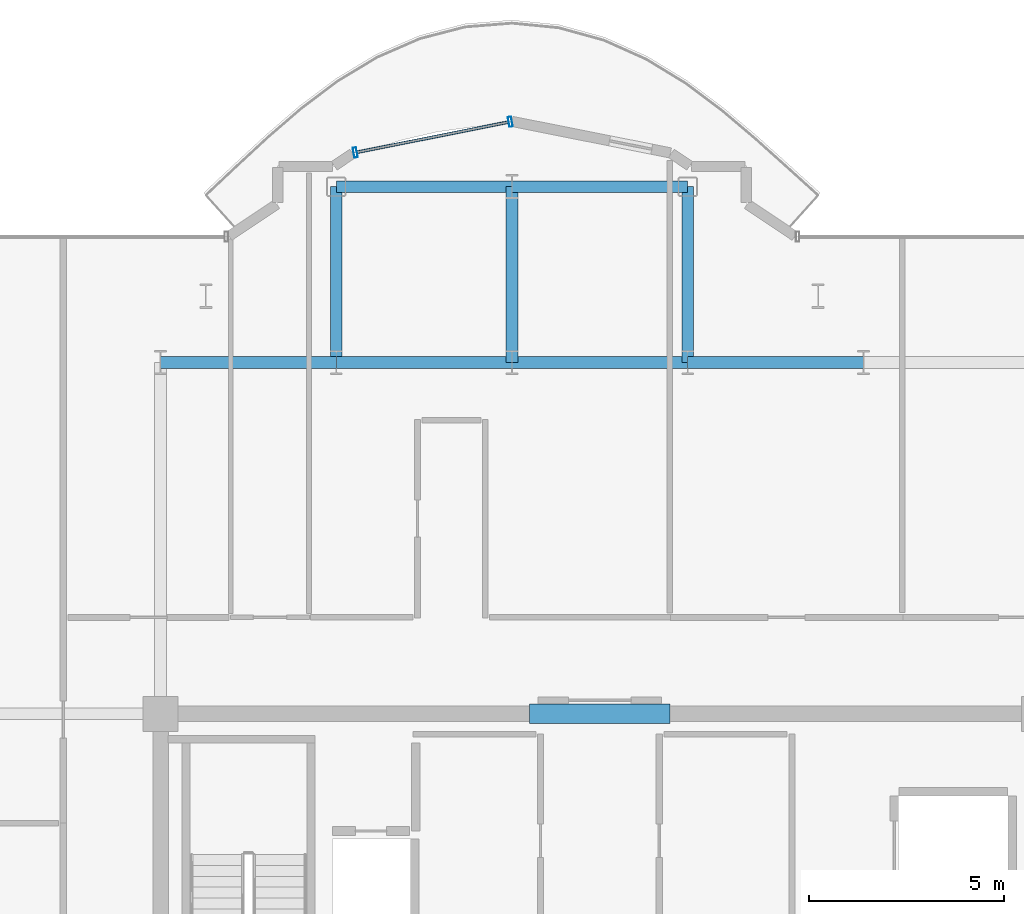
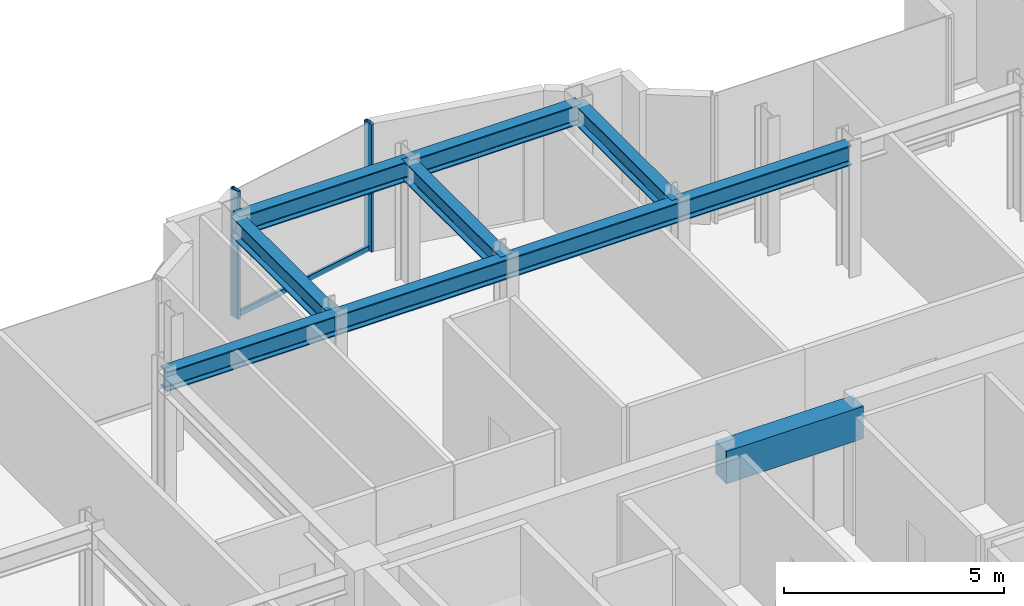
# One storey, part 10 of 18: 10 beams, 3 members, 1 element without a shape of its own.
"""IFC4 building model written with IfcOpenShell, lengths in metres."""

import ifcopenshell
import ifcopenshell.guid

model = None  # the IFC model being written
_history = None  # IfcOwnerHistory: only IFC2X3 demands one
_inside = {}  # id of a spatial element -> (the spatial element, [elements in it])
_under = {}  # id of a project, library or spatial element -> (it, [spatial elements below it])
_declared = {}  # id of a project -> (the project, [libraries it declares])
_typed = {}  # id of a type object -> (the type object, [elements of that type])
_made_of = {}  # id of a material, layer set ... -> (it, [elements and type objects made of it])


def new_model(schema):
    """Start an empty IFC model of exactly this schema.

    Asked for "IFC4X3", IfcOpenShell would pick the latest addendum, in which some entities
    have other attributes; the version numbers below select the first issue.
    IFC2X3 requires an IfcOwnerHistory on every rooted entity: one is made here for all.
    """
    global model, _history
    if schema == "IFC4X3":
        model = ifcopenshell.file(schema_version=(4, 3, 0, 0))
    else:
        model = ifcopenshell.file(schema=schema)
    _inside.clear()
    _under.clear()
    _declared.clear()
    _typed.clear()
    _made_of.clear()
    _history = None
    if model.schema == "IFC2X3":
        org = make("IfcOrganization", Name="unknown")
        user = make(
            "IfcPersonAndOrganization",
            ThePerson=make("IfcPerson", FamilyName="unknown"),
            TheOrganization=org,
        )
        app = make(
            "IfcApplication",
            ApplicationDeveloper=org,
            Version="unknown",
            ApplicationFullName="unknown",
            ApplicationIdentifier="unknown",
        )
        _history = make(
            "IfcOwnerHistory",
            OwningUser=user,
            OwningApplication=app,
            ChangeAction="ADDED",
            CreationDate=0,
        )
    return model


def make(cls, **values):
    """One entity of the class cls with the attributes given. An attribute that is None is left unset."""
    return model.create_entity(
        cls, **{name: value for name, value in values.items() if value is not None}
    )


def rooted(cls, **values):
    """An entity with a GlobalId (a new one), such as an element, a storey or a relation."""
    return make(cls, GlobalId=ifcopenshell.guid.new(), OwnerHistory=_history, **values)


def si_unit(unit_type, name, prefix=None):
    """IfcSIUnit, for example si_unit("LENGTHUNIT", "METRE", prefix="MILLI")."""
    return make("IfcSIUnit", UnitType=unit_type, Prefix=prefix, Name=name)


def assignment(units):
    """IfcUnitAssignment: the units of a project."""
    return None if units is None else make("IfcUnitAssignment", Units=units)


def point(xyz):
    """IfcCartesianPoint."""
    return None if xyz is None else make("IfcCartesianPoint", Coordinates=xyz)


def direction(xyz):
    """IfcDirection."""
    return None if xyz is None else make("IfcDirection", DirectionRatios=xyz)


def frame(location, z_axis=None, x_axis=None):
    """IfcAxis2Placement3D, a coordinate frame: its origin and axes. An axis left out is left unset."""
    return make(
        "IfcAxis2Placement3D",
        Location=point(location),
        Axis=direction(z_axis),
        RefDirection=direction(x_axis),
    )


def frame_2d(location, x_axis=None):
    """IfcAxis2Placement2D, a coordinate frame in the plane: its origin and x axis."""
    return make(
        "IfcAxis2Placement2D", Location=point(location), RefDirection=direction(x_axis)
    )


def origin():
    """The frame at (0, 0, 0) with its axes left unset."""
    return frame((0.0, 0.0, 0.0))


def origin_2d():
    """The frame at (0, 0) in the plane with its x axis left unset."""
    return frame_2d((0.0, 0.0))


def place(relative_to, where):
    """IfcLocalPlacement: puts the frame where relative to a parent placement (None: the world)."""
    return make(
        "IfcLocalPlacement", PlacementRelTo=relative_to, RelativePlacement=where
    )


def context(
    kind, dimensions, precision=None, world=None, true_north=None, identifier=None
):
    """IfcGeometricRepresentationContext, for example the 3D "Model" context."""
    return make(
        "IfcGeometricRepresentationContext",
        ContextIdentifier=identifier,
        ContextType=kind,
        CoordinateSpaceDimension=dimensions,
        Precision=precision,
        WorldCoordinateSystem=world,
        TrueNorth=true_north,
    )


def subcontext(parent, identifier, kind, view, scale=None):
    """IfcGeometricRepresentationSubContext, for example "Body" below "Model"."""
    return make(
        "IfcGeometricRepresentationSubContext",
        ContextIdentifier=identifier,
        ContextType=kind,
        ParentContext=parent,
        TargetScale=scale,
        TargetView=view,
    )


def project(units=None, contexts=None):
    """IfcProject with its units and contexts."""
    return rooted(
        "IfcProject",
        Name="project",
        RepresentationContexts=contexts,
        UnitsInContext=assignment(units),
    )


def spatial(cls, under=None, at=None, **own):
    """A site, building, storey or space (cls), placed at a placement, below another one or the project."""
    s = rooted(cls, ObjectPlacement=at, **own)
    if under is not None:
        _under.setdefault(under.id(), (under, []))[1].append(s)
    return s


def profile(cls, at=None, kind="AREA", **sizes):
    """A parametric profile (cls). Its sizes go by their IFC names, for example OverallWidth=200.0."""
    return make(cls, ProfileType=kind, Position=at, **sizes)


def rectangle(**sizes):
    """IfcRectangleProfileDef."""
    return profile("IfcRectangleProfileDef", **sizes)


def hollow_rectangle(**sizes):
    """IfcRectangleHollowProfileDef."""
    return profile("IfcRectangleHollowProfileDef", **sizes)


def i_section(**sizes):
    """IfcIShapeProfileDef."""
    return profile("IfcIShapeProfileDef", **sizes)


def extrude(swept, where, along, depth):
    """IfcExtrudedAreaSolid: the profile swept, set in the frame where, extruded along a direction by depth."""
    return make(
        "IfcExtrudedAreaSolid",
        SweptArea=swept,
        Position=where,
        ExtrudedDirection=direction(along),
        Depth=depth,
    )


def shape(context_of_items, identifier, shape_type, items):
    """IfcShapeRepresentation: the items that make up one representation, for example the "Body"."""
    return make(
        "IfcShapeRepresentation",
        ContextOfItems=context_of_items,
        RepresentationIdentifier=identifier,
        RepresentationType=shape_type,
        Items=items,
    )


def source(mapping_origin, context_of_items, identifier, shape_type, items):
    """IfcRepresentationMap: a shape defined once, which mapped items show again and again."""
    return make(
        "IfcRepresentationMap",
        MappingOrigin=mapping_origin,
        MappedRepresentation=shape(context_of_items, identifier, shape_type, items),
    )


def transform(
    local_origin,
    x_axis=None,
    y_axis=None,
    z_axis=None,
    scale=None,
    scale2=None,
    scale3=None,
    uniform=True,
):
    """IfcCartesianTransformationOperator3D, or its non-uniform kind. x_axis, y_axis, z_axis: its Axis1, 2, 3."""
    if uniform:
        return make(
            "IfcCartesianTransformationOperator3D",
            Axis1=direction(x_axis),
            Axis2=direction(y_axis),
            LocalOrigin=point(local_origin),
            Scale=scale,
            Axis3=direction(z_axis),
        )
    return make(
        "IfcCartesianTransformationOperator3DnonUniform",
        Axis1=direction(x_axis),
        Axis2=direction(y_axis),
        LocalOrigin=point(local_origin),
        Scale=scale,
        Axis3=direction(z_axis),
        Scale2=scale2,
        Scale3=scale3,
    )


def mapped(mapping_source, mapping_target):
    """IfcMappedItem: shows the shape of a source again, moved by a transform."""
    return make(
        "IfcMappedItem", MappingSource=mapping_source, MappingTarget=mapping_target
    )


def material(Name=None, Category=None):
    """IfcMaterial."""
    return make("IfcMaterial", Name=Name, Category=Category)


def layer(
    of_material, thickness, ventilated=None, Name=None, Category=None, Priority=None
):
    """IfcMaterialLayer: one layer of a wall or slab, of a material (None: an air gap)."""
    return make(
        "IfcMaterialLayer",
        Material=of_material,
        LayerThickness=thickness,
        IsVentilated=ventilated,
        Name=Name,
        Category=Category,
        Priority=Priority,
    )


def layer_set(layers, Name=None):
    """IfcMaterialLayerSet."""
    return make("IfcMaterialLayerSet", MaterialLayers=layers, LayerSetName=Name)


def material_profile(
    of_material, cross_section, Name=None, Category=None, Priority=None
):
    """IfcMaterialProfile: a cross section and its material."""
    return make(
        "IfcMaterialProfile",
        Name=Name,
        Material=of_material,
        Profile=cross_section,
        Priority=Priority,
        Category=Category,
    )


def profile_set(profiles, Name=None, composite=None):
    """IfcMaterialProfileSet."""
    return make(
        "IfcMaterialProfileSet",
        Name=Name,
        MaterialProfiles=profiles,
        CompositeProfile=composite,
    )


def made_of(thing, what):
    """Note that an element or type object is made of a material, layer set ...; save() writes the relation."""
    if what is not None:
        _made_of.setdefault(what.id(), (what, []))[1].append(thing)
    return thing


def type_object(cls, material=None, **own):
    """A type object (cls), such as IfcWallType, which elements share."""
    return made_of(rooted(cls, **own), material)


def element(
    cls,
    number,
    at=None,
    inside=None,
    cuts=None,
    type_object=None,
    material=None,
    context=None,
    identifier="Body",
    shape_type=None,
    held_by="IfcProductDefinitionShape",
    body=None,
    shapes=None,
    **own,
):
    """One element of the class cls, such as IfcWall. Its Tag is "e" and its number.

    at: its placement. inside: the storey or other place that contains it. cuts: it is an
    opening in that element (IfcRelVoidsElement). A single representation is given by context,
    identifier, shape_type and body (its items); several are given by shapes. held_by: the class
    of the entity that holds the representations. save() writes the other relations.
    """
    e = rooted(cls, Tag="e%d" % number, ObjectPlacement=at, **own)
    if body is not None:
        shapes = [shape(context, identifier, shape_type, body)]
    if shapes is not None:
        e.Representation = make(held_by, Representations=shapes)
    if inside is not None:
        _inside.setdefault(inside.id(), (inside, []))[1].append(e)
    if cuts is not None:
        rooted(
            "IfcRelVoidsElement", RelatingBuildingElement=cuts, RelatedOpeningElement=e
        )
    if type_object is not None:
        _typed.setdefault(type_object.id(), (type_object, []))[1].append(e)
    return made_of(e, material)


def aggregate(whole, parts):
    """IfcRelAggregates: a whole, such as a stair, and the parts it consists of."""
    return rooted("IfcRelAggregates", RelatingObject=whole, RelatedObjects=parts)


def save(model, path):
    """Write the relations noted so far, then the file.

    IfcRelAggregates (storeys below a building ...), IfcRelContainedInSpatialStructure (elements
    in a storey), IfcRelDefinesByType, IfcRelAssociatesMaterial and IfcRelDeclares: one each for
    every whole, place, type object, material and project.
    """
    for whole, parts in _under.values():
        aggregate(whole, parts)
    for where, things in _inside.values():
        rooted(
            "IfcRelContainedInSpatialStructure",
            RelatedElements=things,
            RelatingStructure=where,
        )
    for kind, things in _typed.values():
        rooted("IfcRelDefinesByType", RelatedObjects=things, RelatingType=kind)
    for what, things in _made_of.values():
        rooted("IfcRelAssociatesMaterial", RelatedObjects=things, RelatingMaterial=what)
    for by, libraries in _declared.values():
        rooted("IfcRelDeclares", RelatingContext=by, RelatedDefinitions=libraries)
    model.write(path)


model = new_model("IFC4")

# Units and contexts
model_context = context("Model", 3, precision=1e-05, world=origin(), true_north=direction((0.0, 1.0)))
body_context = subcontext(model_context, "Body", "Model", "MODEL_VIEW")
ifc_project = project(units=[si_unit("LENGTHUNIT", "METRE"), si_unit("AREAUNIT", "SQUARE_METRE"), si_unit("VOLUMEUNIT", "CUBIC_METRE"), si_unit("PLANEANGLEUNIT", "RADIAN"), si_unit("MASSUNIT", "GRAM", prefix="KILO")], contexts=[model_context])

# Site, building, storey
site_placement = place(None, origin())
site = spatial("IfcSite", under=ifc_project, at=site_placement, CompositionType="ELEMENT")
building_placement = place(site_placement, origin())
building = spatial("IfcBuilding", under=site, at=building_placement, Name="Nefas-Gora Pilgrimage Tower", CompositionType="ELEMENT")
storey_placement = place(building_placement, frame((0.0, 0.0, 326.199951171875)))
storey = spatial("IfcBuildingStorey", under=building, at=storey_placement, Name="L82", CompositionType="ELEMENT", Elevation=326.199951171875)

# Beams
ifc_material_1 = material(Name="Concrete C50/60", Category="concrete")
ifc_material_profile_1 = material_profile(ifc_material_1, rectangle(XDim=0.5, YDim=0.89990234375, at=origin_2d()), Name="RC 500x900")
ifc_profile_set_1 = profile_set([ifc_material_profile_1], Name="Concrete C50/60")
beam_type_1 = type_object("IfcBeamType", Name="BM-LIN-RC900", PredefinedType="LINTEL", material=ifc_profile_set_1)
shared_shape_1 = source(origin(), body_context, "Body", "SweptSolid", [
    extrude(rectangle(XDim=0.5, YDim=0.89990234375, at=origin_2d()), origin(), (0.0, 0.0, 1.0), 3.60009765625),
])
beam_placement = place(storey_placement, frame((-1.800048828125, 9.0, 3.10009765625), z_axis=(1.0, 0.0, 0.0), x_axis=(0.0, 1.0, 0.0)))
element("IfcBeam", 1, at=beam_placement, inside=storey, type_object=beam_type_1, Name="L82 Core Coupling Lintel Beam N", PredefinedType="LINTEL", context=body_context, shape_type="MappedRepresentation", body=[
    mapped(shared_shape_1, transform((0.0, 0.0, 0.0), x_axis=(1.0, 0.0, 0.0), y_axis=(0.0, 1.0, 0.0), z_axis=(0.0, 0.0, 1.0), scale=1.0)),
])
ifc_material_2 = material(Name="Steel S355", Category="steel")
ifc_material_profile_2 = material_profile(ifc_material_2, i_section(OverallWidth=0.300048828125, OverallDepth=0.550048828125, WebThickness=0.014892578125, FlangeThickness=0.029052734375, FilletRadius=0.027099609375, at=origin_2d()), Name="HEB 550")
ifc_profile_set_2 = profile_set([ifc_material_profile_2], Name="Steel S355")
beam_type_2 = type_object("IfcBeamType", Name="BM-GIR-HEB550", PredefinedType="BEAM", material=ifc_profile_set_2)
shared_shape_2 = source(origin(), body_context, "Body", "SweptSolid", [
    extrude(i_section(OverallWidth=0.300048828125, OverallDepth=0.550048828125, WebThickness=0.014892578125, FlangeThickness=0.029052734375, FilletRadius=0.027099609375, at=origin_2d()), origin(), (0.0, 0.0, 1.0), 4.5),
])
for number, where, z_axis, x_axis, name in (
    (2, (-11.25, 18.0, 3.275146484375), (1.0, 0.0, 0.0), (0.0, 1.0, 0.0), "L82 G-05 beam"),
    (3, (-6.75, 18.0, 3.275146484375), (0.0, 1.0, 0.0), (-1.0, 0.0, 0.0), "L82 G-05 beam"),
    (4, (-6.75, 18.0, 3.275146484375), (1.0, 0.0, 0.0), (0.0, 1.0, 0.0), "L82 G-05 beam"),
    (5, (-6.75, 22.5, 3.275146484375), (1.0, 0.0, 0.0), (0.0, 1.0, 0.0), "L82 G-05 beam"),
    (6, (-2.25, 18.0, 3.275146484375), (0.0, 1.0, 0.0), (-1.0, 0.0, 0.0), "L82 G-05 beam"),
    (7, (-2.25, 18.0, 3.275146484375), (1.0, 0.0, 0.0), (0.0, 1.0, 0.0), "L82 G-05 beam"),
    (8, (-2.25, 22.5, 3.275146484375), (1.0, 0.0, 0.0), (0.0, 1.0, 0.0), "L82 G-05 beam"),
    (9, (2.25, 18.0, 3.275146484375), (0.0, 1.0, 0.0), (-1.0, 0.0, 0.0), "L82 G-05 beam"),
    (10, (2.25, 18.0, 3.275146484375), (1.0, 0.0, 0.0), (0.0, 1.0, 0.0), "L82 G-05 beam"),
):
    element("IfcBeam", number, at=place(storey_placement, frame(where, z_axis=z_axis, x_axis=x_axis)), inside=storey, type_object=beam_type_2, Name=name, PredefinedType="BEAM", context=body_context, shape_type="MappedRepresentation", body=[
        mapped(shared_shape_2, transform((0.0, 0.0, 0.0), x_axis=(1.0, 0.0, 0.0), y_axis=(0.0, 1.0, 0.0), z_axis=(0.0, 0.0, 1.0), scale=1.0)),
    ])

# Curtain wall, members
ifc_material_3 = material(Name="Dark ceramic-fritted solar-control aluminium-glass curtain wall", Category="aluminium")
ifc_layer = layer(ifc_material_3, 0.219970703125)
ifc_layer_set = layer_set([ifc_layer], Name="Dark ceramic-fritted solar-control aluminium-glass curtain wall")
curtain_wall_type = type_object("IfcCurtainWallType", Name="CW-SYS-5", PredefinedType="NOTDEFINED", material=ifc_layer_set)
curtain_wall_placement = place(storey_placement, origin())
curtain_wall = element("IfcCurtainWall", 11, at=curtain_wall_placement, inside=storey, type_object=curtain_wall_type, Name="L82 Unitised Curtain Wall CW5", PredefinedType="NOTDEFINED")
ifc_material_4 = material(Name="Anodised architectural aluminium", Category="aluminium")
ifc_material_profile_3 = material_profile(ifc_material_4, hollow_rectangle(XDim=0.090087890625, YDim=0.260009765625, WallThickness=0.006103515625, InnerFilletRadius=0.006103515625, OuterFilletRadius=0.011962890625, at=origin_2d()), Name="ALU MULLION 90x260")
ifc_profile_set_3 = profile_set([ifc_material_profile_3], Name="Anodised architectural aluminium")
member_type_1 = type_object("IfcMemberType", Name="CWM-MUL-5", PredefinedType="MULLION", material=ifc_profile_set_3)
shared_shape_3 = source(origin(), body_context, "Body", "SweptSolid", [
    extrude(hollow_rectangle(XDim=0.090087890625, YDim=0.260009765625, WallThickness=0.006103515625, InnerFilletRadius=0.006103515625, OuterFilletRadius=0.011962890625, at=origin_2d()), origin(), (0.0, 0.0, 1.0), 3.550048828125),
])
member_1_placement = place(storey_placement, frame((-2.294189453125, 24.16357421875, 0.0), z_axis=(0.0, 0.0, 1.0), x_axis=(-0.980782896852, -0.195102304554, 0.0)))
member_1 = element("IfcMember", 12, at=member_1_placement, type_object=member_type_1, Name="CW5 Mullion 1", PredefinedType="MULLION", context=body_context, shape_type="MappedRepresentation", body=[
    mapped(shared_shape_3, transform((0.0, 0.0, 0.0), x_axis=(1.0, 0.0, 0.0), y_axis=(0.0, 1.0, 0.0), z_axis=(0.0, 0.0, 1.0), scale=1.0)),
])
member_2_placement = place(storey_placement, frame((-6.26318359375, 23.3740234375, 0.0), z_axis=(0.0, 0.0, 1.0), x_axis=(-0.980782896852, -0.195102304554, 0.0)))
member_2 = element("IfcMember", 13, at=member_2_placement, type_object=member_type_1, Name="CW5 Mullion 2", PredefinedType="MULLION", context=body_context, shape_type="MappedRepresentation", body=[
    mapped(shared_shape_3, transform((0.0, 0.0, 0.0), x_axis=(1.0, 0.0, 0.0), y_axis=(0.0, 1.0, 0.0), z_axis=(0.0, 0.0, 1.0), scale=1.0)),
])
ifc_material_profile_4 = material_profile(ifc_material_4, hollow_rectangle(XDim=0.080078125, YDim=0.159912109375, WallThickness=0.00439453125, InnerFilletRadius=0.00439453125, OuterFilletRadius=0.009033203125, at=origin_2d()), Name="ALU TRANSOM 80x160")
ifc_profile_set_4 = profile_set([ifc_material_profile_4], Name="Anodised architectural aluminium")
member_type_2 = type_object("IfcMemberType", Name="CWM-TRN-5", PredefinedType="USERDEFINED", material=ifc_profile_set_4)
shared_shape_4 = source(origin(), body_context, "Body", "SweptSolid", [
    extrude(hollow_rectangle(XDim=0.080078125, YDim=0.159912109375, WallThickness=0.00439453125, InnerFilletRadius=0.00439453125, OuterFilletRadius=0.009033203125, at=origin_2d()), origin(), (0.0, 0.0, 1.0), 3.95654296875),
])
member_3_placement = place(storey_placement, frame((-2.33837890625, 24.15478515625, 0.050048828125), z_axis=(-0.980781880918, -0.195107411605, 0.0), x_axis=(0.195107411605, -0.980781880918, 0.0)))
member_3 = element("IfcMember", 14, at=member_3_placement, type_object=member_type_2, Name="CW5 Spandrel Transom", ObjectType="TRANSOM", PredefinedType="USERDEFINED", context=body_context, shape_type="MappedRepresentation", body=[
    mapped(shared_shape_4, transform((0.0, 0.0, 0.0), x_axis=(1.0, 0.0, 0.0), y_axis=(0.0, 1.0, 0.0), z_axis=(0.0, 0.0, 1.0), scale=1.0)),
])
aggregate(curtain_wall, [member_1, member_2, member_3])

save(model, "model.ifc")
